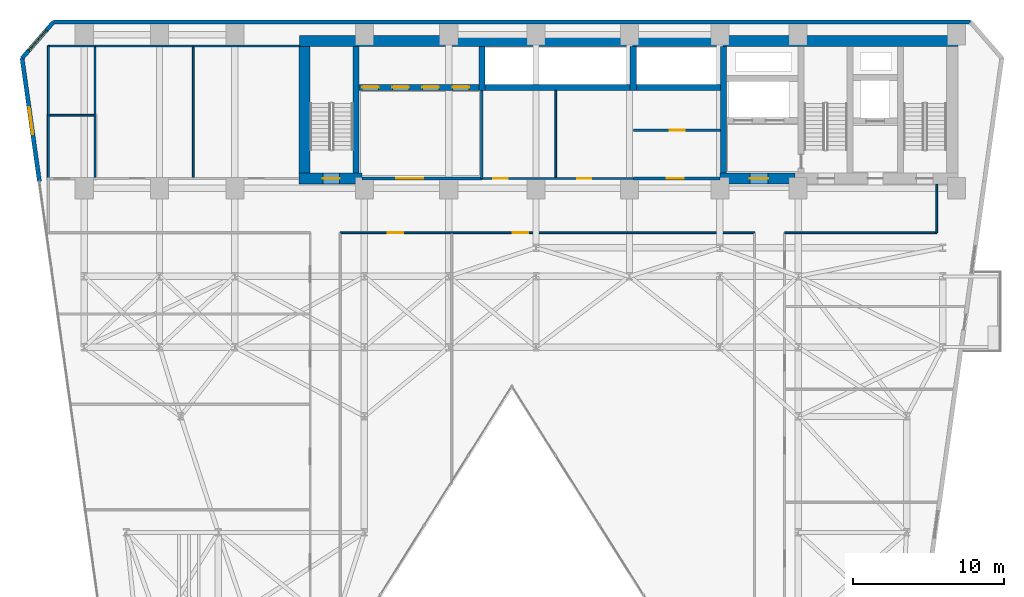
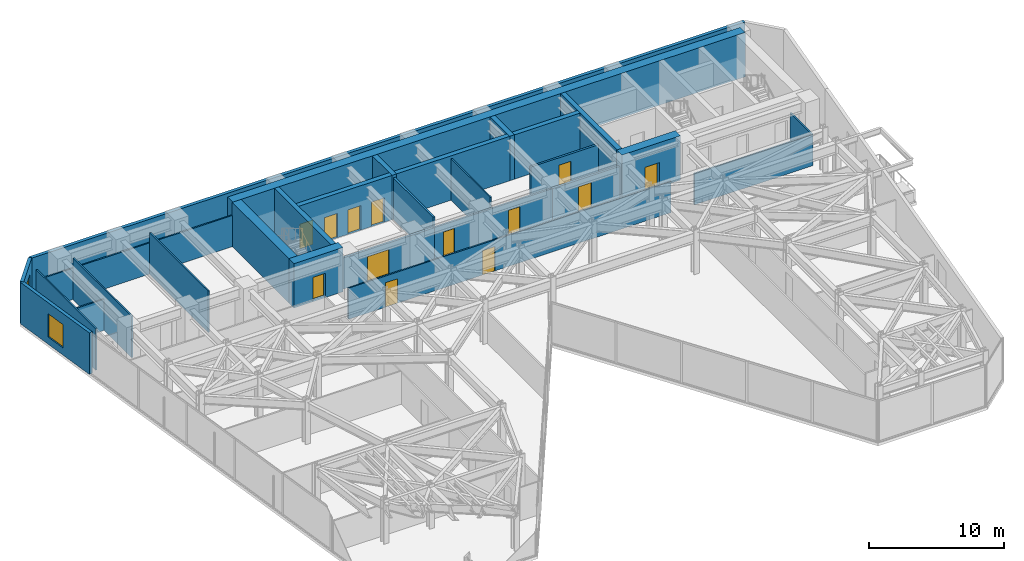
# One storey, part 20 of 24: 28 walls, 13 doors, 2 windows, 15 openings.
"""IFC4 building model written with IfcOpenShell, lengths in metres."""

from ifc_helpers import new_model, si_unit, direction, frame, frame_2d, origin, place, context, subcontext, project, spatial, rectangle, extrude, material, layer, layer_set, type_object, element, fill, save


model = new_model("IFC4")

# Units and contexts
model_context = context("Model", 3, precision=1e-05, world=origin(), true_north=direction((0.0, 1.0)))
body_context = subcontext(model_context, "Body", "Model", "MODEL_VIEW")
ifc_project = project(units=[si_unit("LENGTHUNIT", "METRE"), si_unit("AREAUNIT", "SQUARE_METRE"), si_unit("VOLUMEUNIT", "CUBIC_METRE"), si_unit("PLANEANGLEUNIT", "RADIAN"), si_unit("MASSUNIT", "GRAM", prefix="KILO")], contexts=[model_context])

# Site, building, storey
site_placement = place(None, origin())
site = spatial("IfcSite", under=ifc_project, at=site_placement, CompositionType="ELEMENT")
building_placement = place(site_placement, origin())
building = spatial("IfcBuilding", under=site, at=building_placement, Name="Kravanh Interchange Tower", CompositionType="ELEMENT")
storey_placement = place(building_placement, frame((0.0, 0.0, 61.5)))
storey = spatial("IfcBuildingStorey", under=building, at=storey_placement, Name="L14", CompositionType="ELEMENT", Elevation=61.5)

# Walls
ifc_material_1 = material(Name="Double Acoustic Gypsum Board and Mineral Wool")
ifc_layer_1 = layer(ifc_material_1, 0.1201171875)
ifc_layer_set_1 = layer_set([ifc_layer_1], Name="Acoustic Office Drywall Partition 120mm")
wall_type_1 = type_object("IfcWallType", Name="Acoustic Office Drywall Partition 120mm", PredefinedType="PARTITIONING", material=ifc_layer_set_1)
wall_1_placement = place(storey_placement, frame((39.89990234375, 38.068115234375, 0.0), z_axis=(0.0, 0.0, 1.0), x_axis=(0.0, 1.0, 0.0)))
element("IfcWall", 1, at=wall_1_placement, inside=storey, type_object=wall_type_1, Name="L14 Interior Partition 6", PredefinedType="PARTITIONING", context=body_context, shape_type="SweptSolid", body=[
    extrude(rectangle(XDim=5.77392578125, YDim=0.1201171875, at=frame_2d((2.886962890625, 0.0))), origin(), (0.0, 0.0, 1.0), 3.739990234375),
])
wall_2_placement = place(storey_placement, frame((6.219970703125, 38.0, 0.0), z_axis=(0.0, 0.0, 1.0), x_axis=(0.0, 1.0, 0.0)))
element("IfcWall", 2, at=wall_2_placement, inside=storey, type_object=wall_type_1, Name="L14 Restroom West Enclosure 8", PredefinedType="PARTITIONING", context=body_context, shape_type="SweptSolid", body=[
    extrude(rectangle(XDim=8.800048828125, YDim=0.1201171875, at=frame_2d((4.39990234375, 0.0))), origin(), (0.0, 0.0, 1.0), 3.739990234375),
])
wall_3_placement = place(storey_placement, frame((6.219970703125, 46.800048828125, 0.0), z_axis=(0.0, 0.0, 1.0), x_axis=(1.0, 0.0, 0.0)))
element("IfcWall", 3, at=wall_3_placement, inside=storey, type_object=wall_type_1, Name="L14 Restroom North Enclosure 9", PredefinedType="PARTITIONING", context=body_context, shape_type="SweptSolid", body=[
    extrude(rectangle(XDim=16.679931640625, YDim=0.1201171875, at=frame_2d((8.33984375, 0.0))), origin(), (0.0, 0.0, 1.0), 2.81298828125),
])
for number, where, z_axis, x_axis, name in (
    (4, (9.320068359375, 38.068115234375, 0.0), (0.0, 0.0, 1.0), (0.0, 1.0, 0.0), "L14 Interior Partition 10"),
    (5, (15.840087890625, 38.068115234375, 0.0), (0.0, 0.0, 1.0), (0.0, 1.0, 0.0), "L14 Interior Partition 11"),
):
    element("IfcWall", number, at=place(storey_placement, frame(where, z_axis=z_axis, x_axis=x_axis)), inside=storey, type_object=wall_type_1, Name=name, PredefinedType="PARTITIONING", context=body_context, shape_type="SweptSolid", body=[
        extrude(rectangle(XDim=8.663818359375, YDim=0.1201171875, at=frame_2d((4.33203125, 0.0))), origin(), (0.0, 0.0, 1.0), 3.739990234375),
    ])
wall_4_placement = place(storey_placement, frame((6.2880859375, 42.199951171875, 0.0), z_axis=(0.0, 0.0, 1.0), x_axis=(1.0, 0.0, 0.0)))
element("IfcWall", 6, at=wall_4_placement, inside=storey, type_object=wall_type_1, Name="L14 Interior Partition 12", PredefinedType="PARTITIONING", context=body_context, shape_type="SweptSolid", body=[
    extrude(rectangle(XDim=2.9638671875, YDim=0.1201171875, at=frame_2d((1.48193359375, 0.0))), origin(), (0.0, 0.0, 1.0), 2.81298828125),
])

# Wall, openings, doors
wall_5_placement = place(storey_placement, frame((25.60009765625, 34.39990234375, 0.0), z_axis=(0.0, 0.0, 1.0), x_axis=(1.0, 0.0, 0.0)))
wall_5 = element("IfcWall", 7, at=wall_5_placement, inside=storey, type_object=wall_type_1, Name="L14 Interior Partition 14", PredefinedType="PARTITIONING", context=body_context, shape_type="SweptSolid", body=[
    extrude(rectangle(XDim=27.5, YDim=0.1201171875, at=frame_2d((13.75, 0.0))), origin(), (0.0, 0.0, 1.0), 2.81298828125),
])
opening_1_placement = place(wall_5_placement, frame((3.135009765625, 0.0, 0.0)))
opening_1 = element("IfcOpeningElement", 8, at=opening_1_placement, cuts=wall_5, Name="Opening D-105", PredefinedType="OPENING", context=body_context, shape_type="SweptSolid", body=[
    extrude(rectangle(XDim=1.050048828125, YDim=2.199951171875, at=frame_2d((0.52490234375, 1.10009765625))), frame((0.0, 0.070068359375, 0.0), z_axis=(0.0, -1.0, 0.0), x_axis=(1.0, 0.0, 0.0)), (0.0, 0.0, 1.0), 0.14013671875),
])
opening_2_placement = place(wall_5_placement, frame((11.439697265625, 0.0, 0.0)))
opening_2 = element("IfcOpeningElement", 9, at=opening_2_placement, cuts=wall_5, Name="Opening D-105", PredefinedType="OPENING", context=body_context, shape_type="SweptSolid", body=[
    extrude(rectangle(XDim=1.050048828125, YDim=2.199951171875, at=frame_2d((0.52490234375, 1.10009765625))), frame((0.0, 0.070068359375, 0.0), z_axis=(0.0, -1.0, 0.0), x_axis=(1.0, 0.0, 0.0)), (0.0, 0.0, 1.0), 0.14013671875),
])
ifc_material_2 = material(Name="Acoustic Glazed Oak and Aluminium", Category="aluminium")
door_type_1 = type_object("IfcDoorType", Name="Office Workplace Door 1050x2200", OperationType="NOTDEFINED", PredefinedType="DOOR", material=ifc_material_2)
door_1_placement = place(opening_1_placement, origin())
door_1 = element("IfcDoor", 10, at=door_1_placement, inside=storey, type_object=door_type_1, Name="L14 Central Conference Meeting Door", OperationType="SINGLE_SWING_LEFT", OverallHeight=2.199951171875, OverallWidth=1.050048828125, PredefinedType="DOOR", context=body_context, shape_type="SweptSolid", body=[
    extrude(rectangle(XDim=1.050048828125, YDim=2.199951171875, at=frame_2d((0.52490234375, 1.10009765625))), frame((0.0, 0.02490234375, 0.0), z_axis=(0.0, -1.0, 0.0), x_axis=(1.0, 0.0, 0.0)), (0.0, 0.0, 1.0), 0.050048828125),
])
fill(opening_1, door_1)
door_2_placement = place(opening_2_placement, origin())
door_2 = element("IfcDoor", 11, at=door_2_placement, inside=storey, type_object=door_type_1, Name="L14 Floor Pantry Kitchenette Door", OperationType="SINGLE_SWING_RIGHT", OverallHeight=2.199951171875, OverallWidth=1.050048828125, PredefinedType="DOOR", context=body_context, shape_type="SweptSolid", body=[
    extrude(rectangle(XDim=1.050048828125, YDim=2.199951171875, at=frame_2d((0.52490234375, 1.10009765625))), frame((0.0, 0.02490234375, 0.0), z_axis=(0.0, -1.0, 0.0), x_axis=(1.0, 0.0, 0.0)), (0.0, 0.0, 1.0), 0.050048828125),
])
fill(opening_2, door_2)

# Walls
wall_6_placement = place(storey_placement, frame((55.10009765625, 34.39990234375, 0.0), z_axis=(0.0, 0.0, 1.0), x_axis=(1.0, 0.0, 0.0)))
element("IfcWall", 12, at=wall_6_placement, inside=storey, type_object=wall_type_1, Name="L14 Interior Partition 15", PredefinedType="PARTITIONING", context=body_context, shape_type="SweptSolid", body=[
    extrude(rectangle(XDim=10.099853515625, YDim=0.1201171875, at=frame_2d((5.0498046875, 0.0))), origin(), (0.0, 0.0, 1.0), 2.81298828125),
])
wall_7_placement = place(storey_placement, frame((65.199951171875, 34.39990234375, 0.0), z_axis=(0.0, 0.0, 1.0), x_axis=(0.0, 1.0, 0.0)))
element("IfcWall", 13, at=wall_7_placement, inside=storey, type_object=wall_type_1, Name="L14 Interior Partition 17", PredefinedType="PARTITIONING", context=body_context, shape_type="SweptSolid", body=[
    extrude(rectangle(XDim=3.217041015625, YDim=0.1201171875, at=frame_2d((1.6083984375, 0.0))), origin(), (0.0, 0.0, 1.0), 2.81298828125),
])
ifc_material_3 = material(Name="Concrete C80/95", Category="concrete")
ifc_layer_2 = layer(ifc_material_3, 0.39990234375)
ifc_layer_set_2 = layer_set([ifc_layer_2], Name="Core Shear Wall Concrete C80/95 400mm")
wall_type_2 = type_object("IfcWallType", Name="Core Shear Wall Concrete C80/95 400mm", PredefinedType="SHEAR", material=ifc_layer_set_2)
wall_8_placement = place(storey_placement, frame((51.050048828125, 38.375, 0.0), z_axis=(0.0, 0.0, 1.0), x_axis=(0.0, 1.0, 0.0)))
element("IfcWall", 14, at=wall_8_placement, inside=storey, type_object=wall_type_2, Name="L14 Firefighting Lobby West Wall", PredefinedType="SHEAR", context=body_context, shape_type="SweptSolid", body=[
    extrude(rectangle(XDim=8.375, YDim=0.39990234375, at=frame_2d((4.1875, 0.0))), origin(), (0.0, 0.0, 1.0), 4.0),
])
wall_9_placement = place(storey_placement, frame((45.25, 44.050048828125, 0.0), z_axis=(0.0, 0.0, 1.0), x_axis=(1.0, 0.0, 0.0)))
element("IfcWall", 15, at=wall_9_placement, inside=storey, type_object=wall_type_2, Name="L14 High-Rise Lift Shaft South Wall", PredefinedType="SHEAR", context=body_context, shape_type="SweptSolid", body=[
    extrude(rectangle(XDim=5.60009765625, YDim=0.39990234375, at=frame_2d((2.800048828125, 0.0))), origin(), (0.0, 0.0, 1.0), 4.0),
])
wall_10_placement = place(storey_placement, frame((45.050048828125, 43.85009765625, 0.0), z_axis=(0.0, 0.0, 1.0), x_axis=(0.0, 1.0, 0.0)))
element("IfcWall", 16, at=wall_10_placement, inside=storey, type_object=wall_type_2, Name="L14 High-Rise Lift Shaft West Wall", PredefinedType="SHEAR", context=body_context, shape_type="SweptSolid", body=[
    extrude(rectangle(XDim=2.89990234375, YDim=0.39990234375, at=frame_2d((1.449951171875, 0.0))), origin(), (0.0, 0.0, 1.0), 4.0),
])
wall_11_placement = place(storey_placement, frame((35.199951171875, 44.050048828125, 0.0), z_axis=(0.0, 0.0, 1.0), x_axis=(1.0, 0.0, 0.0)))
element("IfcWall", 17, at=wall_11_placement, inside=storey, type_object=wall_type_2, Name="L14 Mid-Rise Lift Shaft South Wall", PredefinedType="SHEAR", context=body_context, shape_type="SweptSolid", body=[
    extrude(rectangle(XDim=9.650146484375, YDim=0.39990234375, at=frame_2d((4.8251953125, 0.0))), origin(), (0.0, 0.0, 1.0), 4.0),
])
wall_12_placement = place(storey_placement, frame((35.0, 43.85009765625, 0.0), z_axis=(0.0, 0.0, 1.0), x_axis=(0.0, 1.0, 0.0)))
element("IfcWall", 18, at=wall_12_placement, inside=storey, type_object=wall_type_2, Name="L14 Mid-Rise Lift Shaft West Wall", PredefinedType="SHEAR", context=body_context, shape_type="SweptSolid", body=[
    extrude(rectangle(XDim=2.89990234375, YDim=0.39990234375, at=frame_2d((1.449951171875, 0.0))), origin(), (0.0, 0.0, 1.0), 4.0),
])

# Wall, openings, doors
wall_13_placement = place(storey_placement, frame((26.85009765625, 44.050048828125, 0.0), z_axis=(0.0, 0.0, 1.0), x_axis=(1.0, 0.0, 0.0)))
wall_13 = element("IfcWall", 19, at=wall_13_placement, inside=storey, type_object=wall_type_2, Name="L14 Low-Rise Lift Shaft South Wall", PredefinedType="SHEAR", context=body_context, shape_type="SweptSolid", body=[
    extrude(rectangle(XDim=7.949951171875, YDim=0.39990234375, at=frame_2d((3.97509765625, 0.0))), origin(), (0.0, 0.0, 1.0), 4.0),
])
opening_3_placement = place(wall_13_placement, frame((0.199951171875, 0.0, 0.0)))
opening_3 = element("IfcOpeningElement", 20, at=opening_3_placement, cuts=wall_13, Name="Opening LD01", PredefinedType="OPENING", context=body_context, shape_type="SweptSolid", body=[
    extrude(rectangle(XDim=1.10009765625, YDim=2.199951171875, at=frame_2d((0.550048828125, 1.10009765625))), frame((0.0, 0.2099609375, 0.0), z_axis=(0.0, -1.0, 0.0), x_axis=(1.0, 0.0, 0.0)), (0.0, 0.0, 1.0), 0.419921875),
])
opening_4_placement = place(wall_13_placement, frame((2.199951171875, 0.0, 0.0)))
opening_4 = element("IfcOpeningElement", 21, at=opening_4_placement, cuts=wall_13, Name="Opening LD01", PredefinedType="OPENING", context=body_context, shape_type="SweptSolid", body=[
    extrude(rectangle(XDim=1.10009765625, YDim=2.199951171875, at=frame_2d((0.550048828125, 1.10009765625))), frame((0.0, 0.2099609375, 0.0), z_axis=(0.0, -1.0, 0.0), x_axis=(1.0, 0.0, 0.0)), (0.0, 0.0, 1.0), 0.419921875),
])
opening_5_placement = place(wall_13_placement, frame((4.199951171875, 0.0, 0.0)))
opening_5 = element("IfcOpeningElement", 22, at=opening_5_placement, cuts=wall_13, Name="Opening LD01", PredefinedType="OPENING", context=body_context, shape_type="SweptSolid", body=[
    extrude(rectangle(XDim=1.10009765625, YDim=2.199951171875, at=frame_2d((0.550048828125, 1.10009765625))), frame((0.0, 0.2099609375, 0.0), z_axis=(0.0, -1.0, 0.0), x_axis=(1.0, 0.0, 0.0)), (0.0, 0.0, 1.0), 0.419921875),
])
opening_6_placement = place(wall_13_placement, frame((6.199951171875, 0.0, 0.0)))
opening_6 = element("IfcOpeningElement", 23, at=opening_6_placement, cuts=wall_13, Name="Opening LD01", PredefinedType="OPENING", context=body_context, shape_type="SweptSolid", body=[
    extrude(rectangle(XDim=1.10009765625, YDim=2.199951171875, at=frame_2d((0.550048828125, 1.10009765625))), frame((0.0, 0.2099609375, 0.0), z_axis=(0.0, -1.0, 0.0), x_axis=(1.0, 0.0, 0.0)), (0.0, 0.0, 1.0), 0.419921875),
])
ifc_material_4 = material(Name="Stainless Steel 304", Category="steel")
door_type_2 = type_object("IfcDoorType", Name="Passenger Lift Sliding Landing Door 1100x2200", OperationType="DOUBLE_DOOR_SLIDING", PredefinedType="DOOR", material=ifc_material_4)
door_3_placement = place(opening_3_placement, origin())
door_3 = element("IfcDoor", 24, at=door_3_placement, inside=storey, type_object=door_type_2, Name="L14 Lift LP-L1 Landing Door", OperationType="DOUBLE_DOOR_SLIDING", OverallHeight=2.199951171875, OverallWidth=1.10009765625, PredefinedType="DOOR", context=body_context, shape_type="SweptSolid", body=[
    extrude(rectangle(XDim=1.10009765625, YDim=2.199951171875, at=frame_2d((0.550048828125, 1.10009765625))), frame((0.0, 0.02490234375, 0.0), z_axis=(0.0, -1.0, 0.0), x_axis=(1.0, 0.0, 0.0)), (0.0, 0.0, 1.0), 0.050048828125),
])
fill(opening_3, door_3)
door_4_placement = place(opening_4_placement, origin())
door_4 = element("IfcDoor", 25, at=door_4_placement, inside=storey, type_object=door_type_2, Name="L14 Lift LP-L2 Landing Door", OperationType="DOUBLE_DOOR_SLIDING", OverallHeight=2.199951171875, OverallWidth=1.10009765625, PredefinedType="DOOR", context=body_context, shape_type="SweptSolid", body=[
    extrude(rectangle(XDim=1.10009765625, YDim=2.199951171875, at=frame_2d((0.550048828125, 1.10009765625))), frame((0.0, 0.02490234375, 0.0), z_axis=(0.0, -1.0, 0.0), x_axis=(1.0, 0.0, 0.0)), (0.0, 0.0, 1.0), 0.050048828125),
])
fill(opening_4, door_4)
door_5_placement = place(opening_5_placement, origin())
door_5 = element("IfcDoor", 26, at=door_5_placement, inside=storey, type_object=door_type_2, Name="L14 Lift LP-L3 Landing Door", OperationType="DOUBLE_DOOR_SLIDING", OverallHeight=2.199951171875, OverallWidth=1.10009765625, PredefinedType="DOOR", context=body_context, shape_type="SweptSolid", body=[
    extrude(rectangle(XDim=1.10009765625, YDim=2.199951171875, at=frame_2d((0.550048828125, 1.10009765625))), frame((0.0, 0.02490234375, 0.0), z_axis=(0.0, -1.0, 0.0), x_axis=(1.0, 0.0, 0.0)), (0.0, 0.0, 1.0), 0.050048828125),
])
fill(opening_5, door_5)
door_6_placement = place(opening_6_placement, origin())
door_6 = element("IfcDoor", 27, at=door_6_placement, inside=storey, type_object=door_type_2, Name="L14 Lift LP-L4 Landing Door", OperationType="DOUBLE_DOOR_SLIDING", OverallHeight=2.199951171875, OverallWidth=1.10009765625, PredefinedType="DOOR", context=body_context, shape_type="SweptSolid", body=[
    extrude(rectangle(XDim=1.10009765625, YDim=2.199951171875, at=frame_2d((0.550048828125, 1.10009765625))), frame((0.0, 0.02490234375, 0.0), z_axis=(0.0, -1.0, 0.0), x_axis=(1.0, 0.0, 0.0)), (0.0, 0.0, 1.0), 0.050048828125),
])
fill(opening_6, door_6)

# Walls
wall_14_placement = place(storey_placement, frame((26.64990234375, 38.375, 0.0), z_axis=(0.0, 0.0, 1.0), x_axis=(0.0, 1.0, 0.0)))
element("IfcWall", 28, at=wall_14_placement, inside=storey, type_object=wall_type_2, Name="L14 Stair ST3 East Shear Wall", PredefinedType="SHEAR", context=body_context, shape_type="SweptSolid", body=[
    extrude(rectangle(XDim=8.375, YDim=0.39990234375, at=frame_2d((4.1875, 0.0))), origin(), (0.0, 0.0, 1.0), 4.0),
])
ifc_material_5 = material(Name="Concrete C80/95", Category="concrete")
ifc_layer_3 = layer(ifc_material_5, 0.75)
ifc_layer_set_3 = layer_set([ifc_layer_3], Name="Core Shear Wall Concrete C80/95 750mm")
wall_type_3 = type_object("IfcWallType", Name="Core Shear Wall Concrete C80/95 750mm", PredefinedType="SHEAR", material=ifc_layer_set_3)
wall_15_placement = place(storey_placement, frame((22.89990234375, 47.125, 0.0), z_axis=(0.0, 0.0, 1.0), x_axis=(1.0, 0.0, 0.0)))
element("IfcWall", 29, at=wall_15_placement, inside=storey, type_object=wall_type_3, Name="L14 North Core Shear Wall", PredefinedType="SHEAR", context=body_context, shape_type="SweptSolid", body=[
    extrude(rectangle(XDim=43.7001953125, YDim=0.75, at=frame_2d((21.85009765625, 0.0))), origin(), (0.0, 0.0, 1.0), 4.0),
])

# Wall, opening, door
wall_16_placement = place(storey_placement, frame((50.800048828125, 38.0, 0.0), z_axis=(0.0, 0.0, 1.0), x_axis=(1.0, 0.0, 0.0)))
wall_16 = element("IfcWall", 30, at=wall_16_placement, inside=storey, type_object=wall_type_3, Name="L14 Firefighting Lobby South Shear Wall", PredefinedType="SHEAR", context=body_context, shape_type="SweptSolid", body=[
    extrude(rectangle(XDim=5.0, YDim=0.75, at=frame_2d((2.5, 0.0))), origin(), (0.0, 0.0, 1.0), 4.0),
])
opening_7_placement = place(wall_16_placement, frame((2.0, 0.0, 0.0)))
opening_7 = element("IfcOpeningElement", 31, at=opening_7_placement, cuts=wall_16, Name="Opening D-FSAE-120", PredefinedType="OPENING", context=body_context, shape_type="SweptSolid", body=[
    extrude(rectangle(XDim=1.199951171875, YDim=2.199951171875, at=frame_2d((0.60009765625, 1.10009765625))), frame((0.0, 0.385009765625, 0.0), z_axis=(0.0, -1.0, 0.0), x_axis=(1.0, 0.0, 0.0)), (0.0, 0.0, 1.0), 0.77001953125),
])
ifc_material_6 = material(Name="Structural Steel S355", Category="steel")
door_type_3 = type_object("IfcDoorType", Name="Fire-Rated Refuge and FSAE Door 1200x2200", OperationType="NOTDEFINED", PredefinedType="DOOR", material=ifc_material_6)
door_7_placement = place(opening_7_placement, origin())
door_7 = element("IfcDoor", 32, at=door_7_placement, inside=storey, type_object=door_type_3, Name="L14 Firefighting Lobby Corridor Door", OperationType="SINGLE_SWING_RIGHT", OverallHeight=2.199951171875, OverallWidth=1.199951171875, PredefinedType="DOOR", context=body_context, shape_type="SweptSolid", body=[
    extrude(rectangle(XDim=1.199951171875, YDim=2.199951171875, at=frame_2d((0.60009765625, 1.10009765625))), frame((0.0, 0.02490234375, 0.0), z_axis=(0.0, -1.0, 0.0), x_axis=(1.0, 0.0, 0.0)), (0.0, 0.0, 1.0), 0.050048828125),
])
fill(opening_7, door_7)

wall_17_placement = place(storey_placement, frame((22.85009765625, 38.0, 0.0), z_axis=(0.0, 0.0, 1.0), x_axis=(1.0, 0.0, 0.0)))
wall_17 = element("IfcWall", 33, at=wall_17_placement, inside=storey, type_object=wall_type_3, Name="L14 Stair ST3 South Shear Wall", PredefinedType="SHEAR", context=body_context, shape_type="SweptSolid", body=[
    extrude(rectangle(XDim=4.199951171875, YDim=0.75, at=frame_2d((2.10009765625, 0.0))), origin(), (0.0, 0.0, 1.0), 4.0),
])
opening_8_placement = place(wall_17_placement, frame((1.60009765625, 0.0, 0.0)))
opening_8 = element("IfcOpeningElement", 34, at=opening_8_placement, cuts=wall_17, Name="Opening D-STAIR-110", PredefinedType="OPENING", context=body_context, shape_type="SweptSolid", body=[
    extrude(rectangle(XDim=1.10009765625, YDim=2.199951171875, at=frame_2d((0.550048828125, 1.10009765625))), frame((0.0, 0.385009765625, 0.0), z_axis=(0.0, -1.0, 0.0), x_axis=(1.0, 0.0, 0.0)), (0.0, 0.0, 1.0), 0.77001953125),
])
ifc_material_7 = material(Name="Structural Steel S355", Category="steel")
door_type_4 = type_object("IfcDoorType", Name="Fire-Rated Exit Stair Door 1100x2200", OperationType="NOTDEFINED", PredefinedType="DOOR", material=ifc_material_7)
door_8_placement = place(opening_8_placement, origin())
door_8 = element("IfcDoor", 35, at=door_8_placement, inside=storey, type_object=door_type_4, Name="L14 Exit Stair ST3 Door", OperationType="SINGLE_SWING_RIGHT", OverallHeight=2.199951171875, OverallWidth=1.10009765625, PredefinedType="DOOR", context=body_context, shape_type="SweptSolid", body=[
    extrude(rectangle(XDim=1.10009765625, YDim=2.199951171875, at=frame_2d((0.550048828125, 1.10009765625))), frame((0.0, 0.02490234375, 0.0), z_axis=(0.0, -1.0, 0.0), x_axis=(1.0, 0.0, 0.0)), (0.0, 0.0, 1.0), 0.050048828125),
])
fill(opening_8, door_8)

# Wall
wall_18_placement = place(storey_placement, frame((23.22509765625, 38.375, 0.0), z_axis=(0.0, 0.0, 1.0), x_axis=(0.0, 1.0, 0.0)))
element("IfcWall", 36, at=wall_18_placement, inside=storey, type_object=wall_type_3, Name="L14 Stair ST3 West Shear Wall", PredefinedType="SHEAR", context=body_context, shape_type="SweptSolid", body=[
    extrude(rectangle(XDim=8.375, YDim=0.75, at=frame_2d((4.1875, 0.0))), origin(), (0.0, 0.0, 1.0), 4.0),
])

# Wall, opening, window
ifc_material_8 = material(Name="Insulated Precast Concrete C40/50 with Bronze Cladding", Category="concrete")
ifc_layer_4 = layer(ifc_material_8, 0.280029296875)
ifc_layer_set_4 = layer_set([ifc_layer_4], Name="Exterior Insulated Concrete C40/50 Bronze Spandrel Wall 280mm")
wall_type_4 = type_object("IfcWallType", Name="Exterior Insulated Concrete C40/50 Bronze Spandrel Wall 280mm", PredefinedType="STANDARD", material=ifc_layer_set_4)
wall_19_placement = place(storey_placement, frame((5.625, 37.800048828125, 0.0), z_axis=(0.0, 0.0, 1.0), x_axis=(-0.139180172484, 0.990267074878, 0.0)))
wall_19 = element("IfcWall", 37, at=wall_19_placement, inside=storey, type_object=wall_type_4, Name="L14 Exterior Wall 1", PredefinedType="STANDARD", context=body_context, shape_type="SweptSolid", body=[
    extrude(rectangle(XDim=8.267333984375, YDim=0.280029296875, at=frame_2d((4.1337890625, 0.0))), origin(), (0.0, 0.0, 1.0), 3.739990234375),
])
opening_9_placement = place(wall_19_placement, frame((3.1728515625, 0.0, 0.64990234375)))
opening_9 = element("IfcOpeningElement", 38, at=opening_9_placement, cuts=wall_19, Name="Opening WN-180X210", PredefinedType="OPENING", context=body_context, shape_type="SweptSolid", body=[
    extrude(rectangle(XDim=1.800048828125, YDim=2.10009765625, at=frame_2d((0.89990234375, 1.050048828125))), frame((0.0, 0.14990234375, 0.0), z_axis=(0.0, -1.0, 0.0), x_axis=(1.0, 0.0, 0.0)), (0.0, 0.0, 1.0), 0.300048828125),
])
ifc_material_9 = material(Name="Thermally Broken Bronze Aluminium and Low-E Glass", Category="aluminium")
window_type = type_object("IfcWindowType", Name="Tower Pier Window 1800x2100", PartitioningType="SINGLE_PANEL", PredefinedType="WINDOW", material=ifc_material_9)
window_1_placement = place(opening_9_placement, origin())
window_1 = element("IfcWindow", 39, at=window_1_placement, inside=storey, type_object=window_type, Name="L14 Corner Window 1", OverallHeight=2.10009765625, OverallWidth=1.800048828125, PartitioningType="SINGLE_PANEL", PredefinedType="WINDOW", context=body_context, shape_type="SweptSolid", body=[
    extrude(rectangle(XDim=1.800048828125, YDim=2.10009765625, at=frame_2d((0.89990234375, 1.050048828125))), frame((0.0, 0.030029296875, 0.0), z_axis=(0.0, -1.0, 0.0), x_axis=(1.0, 0.0, 0.0)), (0.0, 0.0, 1.0), 0.06005859375),
])
fill(opening_9, window_1)

wall_20_placement = place(storey_placement, frame((4.474365234375, 45.98681640625, 0.0), z_axis=(0.0, 0.0, 1.0), x_axis=(0.656070053895, 0.754699996278, 0.0)))
wall_20 = element("IfcWall", 40, at=wall_20_placement, inside=storey, type_object=wall_type_4, Name="L14 Exterior Wall 2", PredefinedType="STANDARD", context=body_context, shape_type="SweptSolid", body=[
    extrude(rectangle(XDim=3.1708984375, YDim=0.280029296875, at=frame_2d((1.58544921875, 0.0))), origin(), (0.0, 0.0, 1.0), 3.739990234375),
])
opening_10_placement = place(wall_20_placement, frame((0.66650390625, 0.0, 0.64990234375)))
opening_10 = element("IfcOpeningElement", 41, at=opening_10_placement, cuts=wall_20, Name="Opening WN-180X210", PredefinedType="OPENING", context=body_context, shape_type="SweptSolid", body=[
    extrude(rectangle(XDim=1.800048828125, YDim=2.10009765625, at=frame_2d((0.89990234375, 1.050048828125))), frame((0.0, 0.14990234375, 0.0), z_axis=(0.0, -1.0, 0.0), x_axis=(1.0, 0.0, 0.0)), (0.0, 0.0, 1.0), 0.300048828125),
])
window_2_placement = place(opening_10_placement, origin())
window_2 = element("IfcWindow", 42, at=window_2_placement, inside=storey, type_object=window_type, Name="L14 Corner Window 2", OverallHeight=2.10009765625, OverallWidth=1.800048828125, PartitioningType="SINGLE_PANEL", PredefinedType="WINDOW", context=body_context, shape_type="SweptSolid", body=[
    extrude(rectangle(XDim=1.800048828125, YDim=2.10009765625, at=frame_2d((0.89990234375, 1.050048828125))), frame((0.0, 0.030029296875, 0.0), z_axis=(0.0, -1.0, 0.0), x_axis=(1.0, 0.0, 0.0)), (0.0, 0.0, 1.0), 0.06005859375),
])
fill(opening_10, window_2)

# Wall
wall_21_placement = place(storey_placement, frame((6.5546875, 48.3798828125, 0.0), z_axis=(0.0, 0.0, 1.0), x_axis=(1.0, 0.0, 0.0)))
element("IfcWall", 43, at=wall_21_placement, inside=storey, type_object=wall_type_4, Name="L14 Exterior Wall 3", PredefinedType="STANDARD", context=body_context, shape_type="SweptSolid", body=[
    extrude(rectangle(XDim=60.890625, YDim=0.280029296875, at=frame_2d((30.4453125, 0.0))), origin(), (0.0, 0.0, 1.0), 3.739990234375),
])

# Wall, opening, door
ifc_material_10 = material(Name="Autoclaved Aerated Concrete C30/37 Blockwork", Category="masonry")
ifc_layer_5 = layer(ifc_material_10, 0.179931640625)
ifc_layer_set_5 = layer_set([ifc_layer_5], Name="Fire-Rated Lobby and Corridor Wall Concrete C30/37 180mm")
wall_type_5 = type_object("IfcWallType", Name="Fire-Rated Lobby and Corridor Wall Concrete C30/37 180mm", PredefinedType="STANDARD", material=ifc_layer_set_5)
wall_22_placement = place(storey_placement, frame((45.050048828125, 38.0, 0.0), z_axis=(0.0, 0.0, 1.0), x_axis=(1.0, 0.0, 0.0)))
wall_22 = element("IfcWall", 44, at=wall_22_placement, inside=storey, type_object=wall_type_5, Name="L14 Core South Enclosure 1", PredefinedType="STANDARD", context=body_context, shape_type="SweptSolid", body=[
    extrude(rectangle(XDim=5.75, YDim=0.179931640625, at=frame_2d((2.875, 0.0))), origin(), (0.0, 0.0, 1.0), 2.81298828125),
])
opening_11_placement = place(wall_22_placement, frame((2.240478515625, 0.0, 0.0)))
opening_11 = element("IfcOpeningElement", 45, at=opening_11_placement, cuts=wall_22, Name="Opening D-SHAFT-110", PredefinedType="OPENING", context=body_context, shape_type="SweptSolid", body=[
    extrude(rectangle(XDim=1.10009765625, YDim=2.199951171875, at=frame_2d((0.550048828125, 1.10009765625))), frame((0.0, 0.10009765625, 0.0), z_axis=(0.0, -1.0, 0.0), x_axis=(1.0, 0.0, 0.0)), (0.0, 0.0, 1.0), 0.199951171875),
])
ifc_material_11 = material(Name="Fire-Rated Composite Timber Leaf", Category="wood")
door_type_5 = type_object("IfcDoorType", Name="Fire-Rated Core Support Door 1100x2200", OperationType="NOTDEFINED", PredefinedType="DOOR", material=ifc_material_11)
door_9_placement = place(opening_11_placement, origin())
door_9 = element("IfcDoor", 46, at=door_9_placement, inside=storey, type_object=door_type_5, Name="L14 Core Telecom Room Door", OperationType="SINGLE_SWING_LEFT", OverallHeight=2.199951171875, OverallWidth=1.10009765625, PredefinedType="DOOR", context=body_context, shape_type="SweptSolid", body=[
    extrude(rectangle(XDim=1.10009765625, YDim=2.199951171875, at=frame_2d((0.550048828125, 1.10009765625))), frame((0.0, 0.02490234375, 0.0), z_axis=(0.0, -1.0, 0.0), x_axis=(1.0, 0.0, 0.0)), (0.0, 0.0, 1.0), 0.050048828125),
])
fill(opening_11, door_9)

wall_23_placement = place(storey_placement, frame((45.050048828125, 41.199951171875, 0.0), z_axis=(0.0, 0.0, 1.0), x_axis=(1.0, 0.0, 0.0)))
wall_23 = element("IfcWall", 47, at=wall_23_placement, inside=storey, type_object=wall_type_5, Name="L14 Interior Partition 2", PredefinedType="STANDARD", context=body_context, shape_type="SweptSolid", body=[
    extrude(rectangle(XDim=5.7919921875, YDim=0.179931640625, at=frame_2d((2.89599609375, 0.0))), origin(), (0.0, 0.0, 1.0), 2.81298828125),
])
opening_12_placement = place(wall_23_placement, frame((2.425048828125, 0.0, 0.0)))
opening_12 = element("IfcOpeningElement", 48, at=opening_12_placement, cuts=wall_23, Name="Opening D-HOTEL-100", PredefinedType="OPENING", context=body_context, shape_type="SweptSolid", body=[
    extrude(rectangle(XDim=1.0, YDim=2.14990234375, at=frame_2d((0.5, 1.074951171875))), frame((0.0, 0.10009765625, 0.0), z_axis=(0.0, -1.0, 0.0), x_axis=(1.0, 0.0, 0.0)), (0.0, 0.0, 1.0), 0.199951171875),
])
ifc_material_12 = material(Name="Fire-Rated Solid Timber Leaf", Category="wood")
door_type_6 = type_object("IfcDoorType", Name="Fire-Rated Suite Entrance Door 1000x2150", OperationType="NOTDEFINED", PredefinedType="DOOR", material=ifc_material_12)
door_10_placement = place(opening_12_placement, origin())
door_10 = element("IfcDoor", 49, at=door_10_placement, inside=storey, type_object=door_type_6, Name="L14 Core Telecom Inner Door", OperationType="SINGLE_SWING_RIGHT", OverallHeight=2.14990234375, OverallWidth=1.0, PredefinedType="DOOR", context=body_context, shape_type="SweptSolid", body=[
    extrude(rectangle(XDim=1.0, YDim=2.14990234375, at=frame_2d((0.5, 1.074951171875))), frame((0.0, 0.02490234375, 0.0), z_axis=(0.0, -1.0, 0.0), x_axis=(1.0, 0.0, 0.0)), (0.0, 0.0, 1.0), 0.050048828125),
])
fill(opening_12, door_10)

# Wall
wall_24_placement = place(storey_placement, frame((35.0, 38.0, 0.0), z_axis=(0.0, 0.0, 1.0), x_axis=(0.0, 1.0, 0.0)))
element("IfcWall", 50, at=wall_24_placement, inside=storey, type_object=wall_type_5, Name="L14 Low-Rise Lobby East Wall 3", PredefinedType="STANDARD", context=body_context, shape_type="SweptSolid", body=[
    extrude(rectangle(XDim=5.85009765625, YDim=0.179931640625, at=frame_2d((2.925048828125, 0.0))), origin(), (0.0, 0.0, 1.0), 3.739990234375),
])

# Wall, opening, door
wall_25_placement = place(storey_placement, frame((27.050048828125, 38.0, 0.0), z_axis=(0.0, 0.0, 1.0), x_axis=(1.0, 0.0, 0.0)))
wall_25 = element("IfcWall", 51, at=wall_25_placement, inside=storey, type_object=wall_type_5, Name="L14 Low-Rise Lobby South Wall 4", PredefinedType="STANDARD", context=body_context, shape_type="SweptSolid", body=[
    extrude(rectangle(XDim=7.949951171875, YDim=0.179931640625, at=frame_2d((3.97509765625, 0.0))), origin(), (0.0, 0.0, 1.0), 2.81298828125),
])
opening_13_placement = place(wall_25_placement, frame((2.25, 0.0, 0.0)))
opening_13 = element("IfcOpeningElement", 52, at=opening_13_placement, cuts=wall_25, Name="Opening DBL-180", PredefinedType="OPENING", context=body_context, shape_type="SweptSolid", body=[
    extrude(rectangle(XDim=1.800048828125, YDim=2.199951171875, at=frame_2d((0.89990234375, 1.10009765625))), frame((0.0, 0.10009765625, 0.0), z_axis=(0.0, -1.0, 0.0), x_axis=(1.0, 0.0, 0.0)), (0.0, 0.0, 1.0), 0.199951171875),
])
ifc_material_13 = material(Name="Structural Steel S355", Category="steel")
door_type_7 = type_object("IfcDoorType", Name="Lift Lobby Double Fire Door 1800x2200", OperationType="DOUBLE_DOOR_SINGLE_SWING", PredefinedType="DOOR", material=ifc_material_13)
door_11_placement = place(opening_13_placement, origin())
door_11 = element("IfcDoor", 53, at=door_11_placement, inside=storey, type_object=door_type_7, Name="L14 Low-Rise Lift Lobby Door", OperationType="DOUBLE_DOOR_SINGLE_SWING", OverallHeight=2.199951171875, OverallWidth=1.800048828125, PredefinedType="DOOR", context=body_context, shape_type="SweptSolid", body=[
    extrude(rectangle(XDim=1.800048828125, YDim=2.199951171875, at=frame_2d((0.89990234375, 1.10009765625))), frame((0.0, 0.02490234375, 0.0), z_axis=(0.0, -1.0, 0.0), x_axis=(1.0, 0.0, 0.0)), (0.0, 0.0, 1.0), 0.050048828125),
])
fill(opening_13, door_11)

# Wall, openings, doors
ifc_material_14 = material(Name="Twin Stud Acoustic Gypsum Board Wall")
ifc_layer_6 = layer(ifc_material_14, 0.14990234375)
ifc_layer_set_6 = layer_set([ifc_layer_6], Name="Medium-Duty Acoustic Partition 150mm")
wall_type_6 = type_object("IfcWallType", Name="Medium-Duty Acoustic Partition 150mm", PredefinedType="PARTITIONING", material=ifc_layer_set_6)
wall_26_placement = place(storey_placement, frame((35.0, 38.0, 0.0), z_axis=(0.0, 0.0, 1.0), x_axis=(1.0, 0.0, 0.0)))
wall_26 = element("IfcWall", 54, at=wall_26_placement, inside=storey, type_object=wall_type_6, Name="L14 Core Support South Wall 5", PredefinedType="PARTITIONING", context=body_context, shape_type="SweptSolid", body=[
    extrude(rectangle(XDim=10.050048828125, YDim=0.14990234375, at=frame_2d((5.02490234375, 0.0))), origin(), (0.0, 0.0, 1.0), 2.81298828125),
])
opening_14_placement = place(wall_26_placement, frame((0.759033203125, 0.0, 0.0)))
opening_14 = element("IfcOpeningElement", 55, at=opening_14_placement, cuts=wall_26, Name="Opening D-95", PredefinedType="OPENING", context=body_context, shape_type="SweptSolid", body=[
    extrude(rectangle(XDim=0.949951171875, YDim=2.14990234375, at=frame_2d((0.47509765625, 1.074951171875))), frame((0.0, 0.0849609375, 0.0), z_axis=(0.0, -1.0, 0.0), x_axis=(1.0, 0.0, 0.0)), (0.0, 0.0, 1.0), 0.169921875),
])
opening_15_placement = place(wall_26_placement, frame((6.324951171875, 0.0, 0.0)))
opening_15 = element("IfcOpeningElement", 56, at=opening_15_placement, cuts=wall_26, Name="Opening D-95", PredefinedType="OPENING", context=body_context, shape_type="SweptSolid", body=[
    extrude(rectangle(XDim=0.949951171875, YDim=2.14990234375, at=frame_2d((0.47509765625, 1.074951171875))), frame((0.0, 0.0849609375, 0.0), z_axis=(0.0, -1.0, 0.0), x_axis=(1.0, 0.0, 0.0)), (0.0, 0.0, 1.0), 0.169921875),
])
ifc_material_15 = material(Name="Laminate Solid-Core Timber", Category="wood")
door_type_8 = type_object("IfcDoorType", Name="Accessible Restroom Door 950x2150", OperationType="NOTDEFINED", PredefinedType="DOOR", material=ifc_material_15)
door_12_placement = place(opening_14_placement, origin())
door_12 = element("IfcDoor", 57, at=door_12_placement, inside=storey, type_object=door_type_8, Name="L14 Core Electrical Room Door", OperationType="SINGLE_SWING_RIGHT", OverallHeight=2.14990234375, OverallWidth=0.949951171875, PredefinedType="DOOR", context=body_context, shape_type="SweptSolid", body=[
    extrude(rectangle(XDim=0.949951171875, YDim=2.14990234375, at=frame_2d((0.47509765625, 1.074951171875))), frame((0.0, 0.02490234375, 0.0), z_axis=(0.0, -1.0, 0.0), x_axis=(1.0, 0.0, 0.0)), (0.0, 0.0, 1.0), 0.050048828125),
])
fill(opening_14, door_12)
door_13_placement = place(opening_15_placement, origin())
door_13 = element("IfcDoor", 58, at=door_13_placement, inside=storey, type_object=door_type_8, Name="L14 Core Cleaners Store Door", OperationType="SINGLE_SWING_LEFT", OverallHeight=2.14990234375, OverallWidth=0.949951171875, PredefinedType="DOOR", context=body_context, shape_type="SweptSolid", body=[
    extrude(rectangle(XDim=0.949951171875, YDim=2.14990234375, at=frame_2d((0.47509765625, 1.074951171875))), frame((0.0, 0.02490234375, 0.0), z_axis=(0.0, -1.0, 0.0), x_axis=(1.0, 0.0, 0.0)), (0.0, 0.0, 1.0), 0.050048828125),
])
fill(opening_15, door_13)

save(model, "model.ifc")
